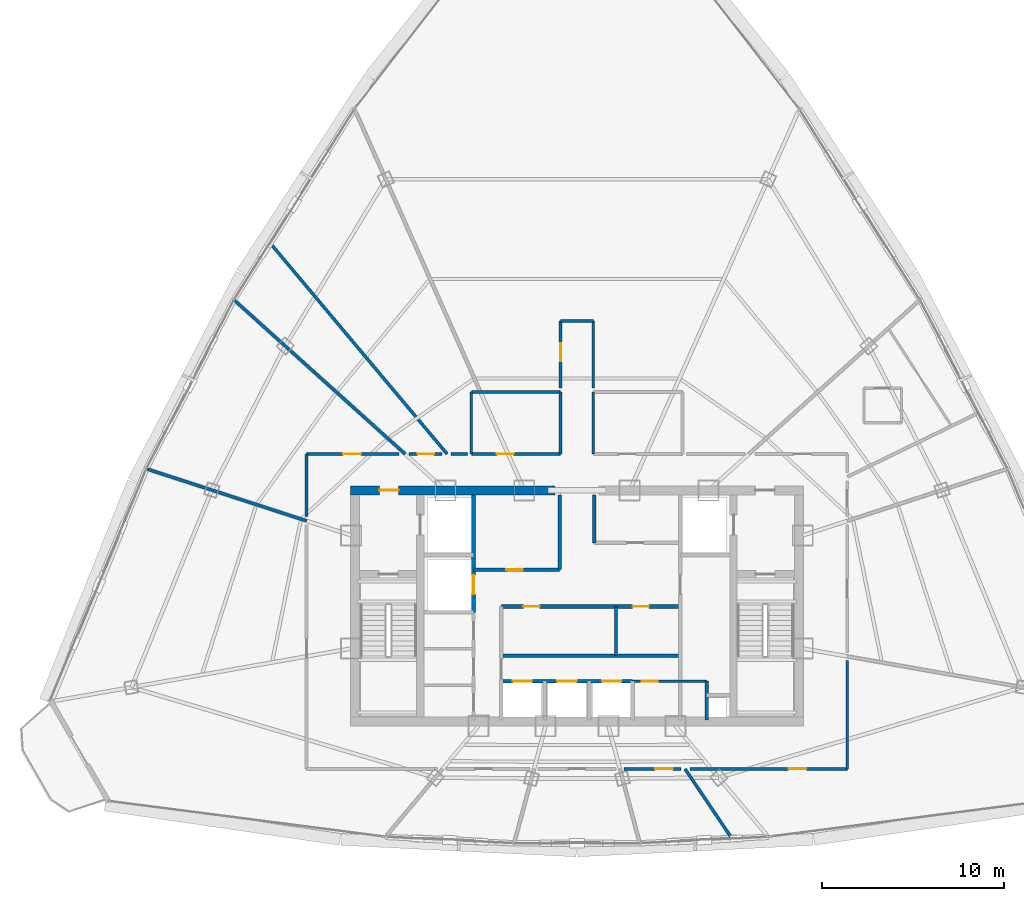
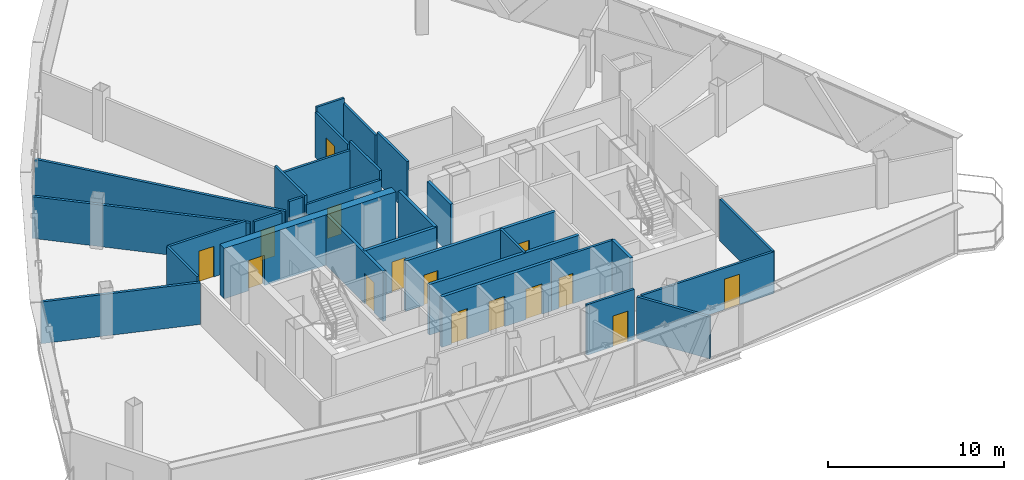
# One storey, part 28 of 33: 30 walls, 15 doors, 15 openings.
"""IFC4 building model written with IfcOpenShell, lengths in metres."""

from ifc_helpers import new_model, si_unit, direction, frame, frame_2d, origin, origin_with_axes, place, context, subcontext, project, spatial, rectangle, extrude, source, transform, mapped, material, layer, layer_set, type_object, element, fill, save


model = new_model("IFC4")

# Units and contexts
model_context = context("Model", 3, precision=1e-05, world=origin(), true_north=direction((0.0, 1.0)))
body_context = subcontext(model_context, "Body", "Model", "MODEL_VIEW")
ifc_project = project(units=[si_unit("LENGTHUNIT", "METRE"), si_unit("AREAUNIT", "SQUARE_METRE"), si_unit("VOLUMEUNIT", "CUBIC_METRE"), si_unit("PLANEANGLEUNIT", "RADIAN"), si_unit("MASSUNIT", "GRAM", prefix="KILO"), si_unit("THERMODYNAMICTEMPERATUREUNIT", "KELVIN"), si_unit("POWERUNIT", "WATT")], contexts=[model_context])

# Site, building, storey
site_placement = place(None, origin())
site = spatial("IfcSite", under=ifc_project, at=site_placement, CompositionType="ELEMENT")
building_placement = place(site_placement, origin())
building = spatial("IfcBuilding", under=site, at=building_placement, Name="Yunzhuo Pagoda Commons", CompositionType="ELEMENT")
storey_placement = place(building_placement, frame((0.0, 0.0, 329.260009765625)))
storey = spatial("IfcBuildingStorey", under=building, at=storey_placement, Name="L82", CompositionType="ELEMENT", Elevation=329.260009765625)

# Wall, opening, door
ifc_material_1 = material(Name="Concrete C50", Category="concrete")
ifc_layer_1 = layer(ifc_material_1, 0.5)
ifc_layer_set_1 = layer_set([ifc_layer_1], Name="Concrete C50")
wall_type_1 = type_object("IfcWallType", Name="W-C03 Upper Core Shear Wall 500", PredefinedType="SHEAR", material=ifc_layer_set_1)
wall_1_placement = place(storey_placement, frame((35.550048828125, 40.199951171875, 0.0), z_axis=(0.0, 0.0, 1.0), x_axis=(1.0, 0.0, 0.0)))
wall_1 = element("IfcWall", 1, at=wall_1_placement, inside=storey, type_object=wall_type_1, Name="L82 core shear wall NW", PredefinedType="SHEAR", context=body_context, shape_type="SweptSolid", body=[
    extrude(rectangle(XDim=11.25, YDim=0.5, at=frame_2d((5.625, 0.0))), origin(), (0.0, 0.0, 1.0), 3.489990234375),
])
opening_1_placement = place(wall_1_placement, frame((1.60009765625, 0.0, 0.0)))
opening_1 = element("IfcOpeningElement", 2, at=opening_1_placement, cuts=wall_1, Name="Opening D-02", PredefinedType="OPENING", context=body_context, shape_type="SweptSolid", body=[
    extrude(rectangle(XDim=1.050048828125, YDim=2.10009765625, at=frame_2d((0.52490234375, 1.050048828125))), frame((0.0, 0.260009765625, 0.0), z_axis=(0.0, -1.0, 0.0), x_axis=(1.0, 0.0, 0.0)), (0.0, 0.0, 1.0), 0.52001953125),
])
ifc_material_2 = material(Name="Galvanized fire-resisting metal leaf")
door_type_1 = type_object("IfcDoorType", Name="D-02 Firefighting Lobby & Refuge Fire Door 1050x2100", OperationType="NOTDEFINED", PredefinedType="DOOR", material=ifc_material_2)
shared_shape_1 = source(origin(), body_context, "Body", "SweptSolid", [
    extrude(rectangle(XDim=1.050048828125, YDim=2.10009765625, at=frame_2d((0.52490234375, 1.050048828125))), frame((0.0, 0.02490234375, 0.0), z_axis=(0.0, -1.0, 0.0), x_axis=(1.0, 0.0, 0.0)), (0.0, 0.0, 1.0), 0.050048828125),
])
door_1_placement = place(opening_1_placement, frame((1.050048828125, 0.0, 0.0), z_axis=(0.0, 0.0, 1.0), x_axis=(-1.0, 0.0, 0.0)))
door_1 = element("IfcDoor", 3, at=door_1_placement, inside=storey, type_object=door_type_1, Name="L82 Firefighting Lobby 1 fire door", OperationType="SINGLE_SWING_LEFT", OverallHeight=2.10009765625, OverallWidth=1.050048828125, PredefinedType="DOOR", context=body_context, shape_type="MappedRepresentation", body=[
    mapped(shared_shape_1, transform((0.0, 0.0, 0.0), scale=1.0)),
])
fill(opening_1, door_1)

# Wall
ifc_material_3 = material(Name="Gypsum plasterboard on acoustic stud")
ifc_layer_2 = layer(ifc_material_3, 0.14990234375)
ifc_layer_set_2 = layer_set([ifc_layer_2], Name="Gypsum plasterboard on acoustic stud")
wall_type_2 = type_object("IfcWallType", Name="W-COR3 High-Zone Rated Corridor Wall 150", PredefinedType="PARTITIONING", material=ifc_layer_set_2)
wall_2_placement = place(storey_placement, frame((50.14990234375, 31.1201171875, 0.0), z_axis=(0.0, 0.0, 1.0), x_axis=(0.0, 1.0, 0.0)))
element("IfcWall", 4, at=wall_2_placement, inside=storey, type_object=wall_type_2, Name="L82 interior wall IW-L82-FRMD", PredefinedType="PARTITIONING", context=body_context, shape_type="SweptSolid", body=[
    extrude(rectangle(XDim=2.699951171875, YDim=0.14990234375, at=frame_2d((1.35009765625, 0.0))), origin(), (0.0, 0.0, 1.0), 3.489990234375),
])

# Wall, opening, door
wall_3_placement = place(storey_placement, frame((51.050048828125, 29.719970703125, 0.0), z_axis=(0.0, 0.0, 1.0), x_axis=(1.0, 0.0, 0.0)))
wall_3 = element("IfcWall", 5, at=wall_3_placement, inside=storey, type_object=wall_type_2, Name="L82 interior wall IW-L82-CSES", PredefinedType="PARTITIONING", context=body_context, shape_type="SweptSolid", body=[
    extrude(rectangle(XDim=4.070068359375, YDim=0.14990234375, at=frame_2d((2.03515625, 0.0))), origin(), (0.0, 0.0, 1.0), 3.489990234375),
])
opening_2_placement = place(wall_3_placement, frame((0.5, 0.0, 0.0)))
opening_2 = element("IfcOpeningElement", 6, at=opening_2_placement, cuts=wall_3, Name="Opening D-03", PredefinedType="OPENING", context=body_context, shape_type="SweptSolid", body=[
    extrude(rectangle(XDim=0.89990234375, YDim=2.10009765625, at=frame_2d((0.449951171875, 1.050048828125))), frame((0.0, 0.0849609375, 0.0), z_axis=(0.0, -1.0, 0.0), x_axis=(1.0, 0.0, 0.0)), (0.0, 0.0, 1.0), 0.169921875),
])
door_type_2 = type_object("IfcDoorType", Name="D-03 Core Service Fire Door 900x2100", OperationType="NOTDEFINED", PredefinedType="DOOR", material=ifc_material_2)
shared_shape_2 = source(origin(), body_context, "Body", "SweptSolid", [
    extrude(rectangle(XDim=0.89990234375, YDim=2.10009765625, at=frame_2d((0.449951171875, 1.050048828125))), frame((0.0, 0.02490234375, 0.0), z_axis=(0.0, -1.0, 0.0), x_axis=(1.0, 0.0, 0.0)), (0.0, 0.0, 1.0), 0.050048828125),
])
door_2_placement = place(opening_2_placement, origin_with_axes())
door_2 = element("IfcDoor", 7, at=door_2_placement, inside=storey, type_object=door_type_2, Name="L82 core pantry door", OperationType="SINGLE_SWING_RIGHT", OverallHeight=2.10009765625, OverallWidth=0.89990234375, PredefinedType="DOOR", context=body_context, shape_type="MappedRepresentation", body=[
    mapped(shared_shape_2, transform((0.0, 0.0, 0.0), scale=1.0)),
])
fill(opening_2, door_2)

wall_4_placement = place(storey_placement, frame((42.199951171875, 42.199951171875, 0.0), z_axis=(0.0, 0.0, 1.0), x_axis=(1.0, 0.0, 0.0)))
wall_4 = element("IfcWall", 8, at=wall_4_placement, inside=storey, type_object=wall_type_2, Name="L82 interior wall IW-L82-TFWS", PredefinedType="PARTITIONING", context=body_context, shape_type="SweptSolid", body=[
    extrude(rectangle(XDim=4.900146484375, YDim=0.14990234375, at=frame_2d((2.4501953125, 0.0))), origin(), (0.0, 0.0, 1.0), 2.889892578125),
])
opening_3_placement = place(wall_4_placement, frame((1.39990234375, 0.0, 0.0)))
opening_3 = element("IfcOpeningElement", 9, at=opening_3_placement, cuts=wall_4, Name="Opening D-04", PredefinedType="OPENING", context=body_context, shape_type="SweptSolid", body=[
    extrude(rectangle(XDim=0.919921875, YDim=2.10009765625, at=frame_2d((0.4599609375, 1.050048828125))), frame((0.0, 0.0849609375, 0.0), z_axis=(0.0, -1.0, 0.0), x_axis=(1.0, 0.0, 0.0)), (0.0, 0.0, 1.0), 0.169921875),
])
ifc_material_4 = material(Name="Powder-coated aluminium and timber acoustic leaf", Category="wood")
door_type_3 = type_object("IfcDoorType", Name="D-04 Bedroom & Study Interior Door 920x2100", OperationType="NOTDEFINED", PredefinedType="DOOR", material=ifc_material_4)
shared_shape_3 = source(origin(), body_context, "Body", "SweptSolid", [
    extrude(rectangle(XDim=0.919921875, YDim=2.10009765625, at=frame_2d((0.4599609375, 1.050048828125))), frame((0.0, 0.02490234375, 0.0), z_axis=(0.0, -1.0, 0.0), x_axis=(1.0, 0.0, 0.0)), (0.0, 0.0, 1.0), 0.050048828125),
])
door_3_placement = place(opening_3_placement, frame((0.919921875, 0.0, 0.0), z_axis=(0.0, 0.0, 1.0), x_axis=(-1.0, 0.0, 0.0)))
door_3 = element("IfcDoor", 10, at=door_3_placement, inside=storey, type_object=door_type_3, Name="L82 laundry door", OperationType="SINGLE_SWING_LEFT", OverallHeight=2.10009765625, OverallWidth=0.919921875, PredefinedType="DOOR", context=body_context, shape_type="MappedRepresentation", body=[
    mapped(shared_shape_3, transform((0.0, 0.0, 0.0), scale=1.0)),
])
fill(opening_3, door_3)

# Walls
wall_5_placement = place(storey_placement, frame((42.199951171875, 45.60009765625, 0.0), z_axis=(0.0, 0.0, 1.0), x_axis=(1.0, 0.0, 0.0)))
element("IfcWall", 11, at=wall_5_placement, inside=storey, type_object=wall_type_2, Name="L82 interior wall IW-L82-TFWN", PredefinedType="PARTITIONING", context=body_context, shape_type="SweptSolid", body=[
    extrude(rectangle(XDim=4.900146484375, YDim=0.14990234375, at=frame_2d((2.4501953125, 0.0))), origin(), (0.0, 0.0, 1.0), 2.889892578125),
])
for number, where, z_axis, x_axis, name in (
    (12, (42.199951171875, 42.199951171875, 0.0), (0.0, 0.0, 1.0), (0.0, 1.0, 0.0), "L82 interior wall IW-L82-TFWW"),
    (13, (47.10009765625, 42.199951171875, 0.0), (0.0, 0.0, 1.0), (0.0, 1.0, 0.0), "L82 interior wall IW-L82-TFWE"),
    (14, (48.89990234375, 42.199951171875, 0.0), (0.0, 0.0, 1.0), (0.0, 1.0, 0.0), "L82 interior wall IW-L82-TFEW"),
):
    element("IfcWall", number, at=place(storey_placement, frame(where, z_axis=z_axis, x_axis=x_axis)), inside=storey, type_object=wall_type_2, Name=name, PredefinedType="PARTITIONING", context=body_context, shape_type="SweptSolid", body=[
        extrude(rectangle(XDim=3.400146484375, YDim=0.14990234375, at=frame_2d((1.7001953125, 0.0))), origin(), (0.0, 0.0, 1.0), 3.489990234375),
    ])
wall_6_placement = place(storey_placement, frame((33.14990234375, 38.75634765625, 0.0), z_axis=(0.0, 0.0, 1.0), x_axis=(0.0, 1.0, 0.0)))
element("IfcWall", 15, at=wall_6_placement, inside=storey, type_object=wall_type_2, Name="L82 interior wall IW-L82-CWL02", PredefinedType="PARTITIONING", context=body_context, shape_type="SweptSolid", body=[
    extrude(rectangle(XDim=3.443603515625, YDim=0.14990234375, at=frame_2d((1.7216796875, 0.0))), origin(), (0.0, 0.0, 1.0), 3.139892578125),
])

# Wall, opening, door
wall_7_placement = place(storey_placement, frame((33.14990234375, 42.199951171875, 0.0), z_axis=(0.0, 0.0, 1.0), x_axis=(1.0, 0.0, 0.0)))
wall_7 = element("IfcWall", 16, at=wall_7_placement, inside=storey, type_object=wall_type_2, Name="L82 interior wall IW-L82-CWL03", PredefinedType="PARTITIONING", context=body_context, shape_type="SweptSolid", body=[
    extrude(rectangle(XDim=5.0810546875, YDim=0.14990234375, at=frame_2d((2.54052734375, 0.0))), origin(), (0.0, 0.0, 1.0), 3.139892578125),
])
opening_4_placement = place(wall_7_placement, frame((2.0, 0.0, 0.0)))
opening_4 = element("IfcOpeningElement", 17, at=opening_4_placement, cuts=wall_7, Name="Opening D-08", PredefinedType="OPENING", context=body_context, shape_type="SweptSolid", body=[
    extrude(rectangle(XDim=0.97998046875, YDim=2.1201171875, at=frame_2d((0.489990234375, 1.06005859375))), frame((0.0, 0.0849609375, 0.0), z_axis=(0.0, -1.0, 0.0), x_axis=(1.0, 0.0, 0.0)), (0.0, 0.0, 1.0), 0.169921875),
])
door_type_4 = type_object("IfcDoorType", Name="D-08 High-Zone Suite Entrance Fire Door 980x2120", OperationType="NOTDEFINED", PredefinedType="DOOR", material=ifc_material_2)
shared_shape_4 = source(origin(), body_context, "Body", "SweptSolid", [
    extrude(rectangle(XDim=0.97998046875, YDim=2.1201171875, at=frame_2d((0.489990234375, 1.06005859375))), frame((0.0, 0.02490234375, 0.0), z_axis=(0.0, -1.0, 0.0), x_axis=(1.0, 0.0, 0.0)), (0.0, 0.0, 1.0), 0.050048828125),
])
door_4_placement = place(opening_4_placement, origin_with_axes())
door_4 = element("IfcDoor", 18, at=door_4_placement, inside=storey, type_object=door_type_4, Name="L82 unit 07 entrance door", OperationType="SINGLE_SWING_LEFT", OverallHeight=2.1201171875, OverallWidth=0.97998046875, PredefinedType="DOOR", context=body_context, shape_type="MappedRepresentation", body=[
    mapped(shared_shape_4, transform((0.0, 0.0, 0.0), scale=1.0)),
])
fill(opening_4, door_4)

wall_8_placement = place(storey_placement, frame((38.779541015625, 42.199951171875, 0.0), z_axis=(0.0, 0.0, 1.0), x_axis=(1.0, 0.0, 0.0)))
wall_8 = element("IfcWall", 19, at=wall_8_placement, inside=storey, type_object=wall_type_2, Name="L82 interior wall IW-L82-CWL04", PredefinedType="PARTITIONING", context=body_context, shape_type="SweptSolid", body=[
    extrude(rectangle(XDim=1.801025390625, YDim=0.14990234375, at=frame_2d((0.900390625, 0.0))), origin(), (0.0, 0.0, 1.0), 2.889892578125),
])
opening_5_placement = place(wall_8_placement, frame((0.474365234375, 0.0, 0.0)))
opening_5 = element("IfcOpeningElement", 20, at=opening_5_placement, cuts=wall_8, Name="Opening D-12", PredefinedType="OPENING", context=body_context, shape_type="SweptSolid", body=[
    extrude(rectangle(XDim=0.89990234375, YDim=2.080078125, at=frame_2d((0.449951171875, 1.0400390625))), frame((0.0, 0.0849609375, 0.0), z_axis=(0.0, -1.0, 0.0), x_axis=(1.0, 0.0, 0.0)), (0.0, 0.0, 1.0), 0.169921875),
])
door_type_5 = type_object("IfcDoorType", Name="D-12 Quiet Study Interior Door 900x2080", OperationType="NOTDEFINED", PredefinedType="DOOR", material=ifc_material_4)
shared_shape_5 = source(origin(), body_context, "Body", "SweptSolid", [
    extrude(rectangle(XDim=0.89990234375, YDim=2.080078125, at=frame_2d((0.449951171875, 1.0400390625))), frame((0.0, 0.02490234375, 0.0), z_axis=(0.0, -1.0, 0.0), x_axis=(1.0, 0.0, 0.0)), (0.0, 0.0, 1.0), 0.050048828125),
])
door_5_placement = place(opening_5_placement, origin_with_axes())
door_5 = element("IfcDoor", 21, at=door_5_placement, inside=storey, type_object=door_type_5, Name="L82 study lounge 06 door", OperationType="SINGLE_SWING_RIGHT", OverallHeight=2.080078125, OverallWidth=0.89990234375, PredefinedType="DOOR", context=body_context, shape_type="MappedRepresentation", body=[
    mapped(shared_shape_5, transform((0.0, 0.0, 0.0), scale=1.0)),
])
fill(opening_5, door_5)

# Wall
wall_9_placement = place(storey_placement, frame((41.087646484375, 42.199951171875, 0.0), z_axis=(0.0, 0.0, 1.0), x_axis=(1.0, 0.0, 0.0)))
element("IfcWall", 22, at=wall_9_placement, inside=storey, type_object=wall_type_2, Name="L82 interior wall IW-L82-CWL05", PredefinedType="PARTITIONING", context=body_context, shape_type="SweptSolid", body=[
    extrude(rectangle(XDim=0.892333984375, YDim=0.14990234375, at=frame_2d((0.4462890625, 0.0))), origin(), (0.0, 0.0, 1.0), 3.489990234375),
])

# Wall, opening, door
wall_10_placement = place(storey_placement, frame((47.10009765625, 45.820068359375, 0.0), z_axis=(0.0, 0.0, 1.0), x_axis=(0.0, 1.0, 0.0)))
wall_10 = element("IfcWall", 23, at=wall_10_placement, inside=storey, type_object=wall_type_2, Name="L82 interior wall IW-L82-CWL06", PredefinedType="PARTITIONING", context=body_context, shape_type="SweptSolid", body=[
    extrude(rectangle(XDim=3.679931640625, YDim=0.14990234375, at=frame_2d((1.83984375, 0.0))), origin(), (0.0, 0.0, 1.0), 3.139892578125),
])
opening_6_placement = place(wall_10_placement, frame((1.485107421875, 0.0, 0.0)))
opening_6 = element("IfcOpeningElement", 24, at=opening_6_placement, cuts=wall_10, Name="Opening D-08", PredefinedType="OPENING", context=body_context, shape_type="SweptSolid", body=[
    extrude(rectangle(XDim=0.97998046875, YDim=2.1201171875, at=frame_2d((0.489990234375, 1.06005859375))), frame((0.0, 0.0849609375, 0.0), z_axis=(0.0, -1.0, 0.0), x_axis=(1.0, 0.0, 0.0)), (0.0, 0.0, 1.0), 0.169921875),
])
door_6_placement = place(opening_6_placement, origin_with_axes())
door_6 = element("IfcDoor", 25, at=door_6_placement, inside=storey, type_object=door_type_4, Name="L82 Shared Resident Kitchen and Pantry door", OperationType="SINGLE_SWING_RIGHT", OverallHeight=2.1201171875, OverallWidth=0.97998046875, PredefinedType="DOOR", context=body_context, shape_type="MappedRepresentation", body=[
    mapped(shared_shape_4, transform((0.0, 0.0, 0.0), scale=1.0)),
])
fill(opening_6, door_6)

# Walls
wall_11_placement = place(storey_placement, frame((47.10009765625, 49.5, 0.0), z_axis=(0.0, 0.0, 1.0), x_axis=(1.0, 0.0, 0.0)))
element("IfcWall", 26, at=wall_11_placement, inside=storey, type_object=wall_type_2, Name="L82 interior wall IW-L82-CWL07", PredefinedType="PARTITIONING", context=body_context, shape_type="SweptSolid", body=[
    extrude(rectangle(XDim=1.7998046875, YDim=0.14990234375, at=frame_2d((0.89990234375, 0.0))), origin(), (0.0, 0.0, 1.0), 3.489990234375),
])
wall_12_placement = place(storey_placement, frame((48.89990234375, 49.5, 0.0), z_axis=(0.0, 0.0, 1.0), x_axis=(0.0, -1.0, 0.0)))
element("IfcWall", 27, at=wall_12_placement, inside=storey, type_object=wall_type_2, Name="L82 interior wall IW-L82-CWL08", PredefinedType="PARTITIONING", context=body_context, shape_type="SweptSolid", body=[
    extrude(rectangle(XDim=3.679931640625, YDim=0.14990234375, at=frame_2d((1.83984375, 0.0))), origin(), (0.0, 0.0, 1.0), 3.139892578125),
])
wall_13_placement = place(storey_placement, frame((62.85009765625, 30.858154296875, 0.0), z_axis=(0.0, 0.0, 1.0), x_axis=(0.0, -1.0, 0.0)))
element("IfcWall", 28, at=wall_13_placement, inside=storey, type_object=wall_type_2, Name="L82 interior wall IW-L82-CWL14", PredefinedType="PARTITIONING", context=body_context, shape_type="SweptSolid", body=[
    extrude(rectangle(XDim=5.958251953125, YDim=0.14990234375, at=frame_2d((2.97900390625, 0.0))), origin(), (0.0, 0.0, 1.0), 2.889892578125),
])

# Wall, opening, door
wall_14_placement = place(storey_placement, frame((62.85009765625, 24.89990234375, 0.0), z_axis=(0.0, 0.0, 1.0), x_axis=(-1.0, 0.0, 0.0)))
wall_14 = element("IfcWall", 29, at=wall_14_placement, inside=storey, type_object=wall_type_2, Name="L82 interior wall IW-L82-CWL15", PredefinedType="PARTITIONING", context=body_context, shape_type="SweptSolid", body=[
    extrude(rectangle(XDim=8.64892578125, YDim=0.14990234375, at=frame_2d((4.324462890625, 0.0))), origin(), (0.0, 0.0, 1.0), 2.889892578125),
])
opening_7_placement = place(wall_14_placement, frame((2.250244140625, 0.0, 0.0)))
opening_7 = element("IfcOpeningElement", 30, at=opening_7_placement, cuts=wall_14, Name="Opening D-08", PredefinedType="OPENING", context=body_context, shape_type="SweptSolid", body=[
    extrude(rectangle(XDim=0.97998046875, YDim=2.1201171875, at=frame_2d((0.489990234375, 1.06005859375))), frame((0.0, 0.0849609375, 0.0), z_axis=(0.0, -1.0, 0.0), x_axis=(1.0, 0.0, 0.0)), (0.0, 0.0, 1.0), 0.169921875),
])
door_7_placement = place(opening_7_placement, origin_with_axes())
door_7 = element("IfcDoor", 31, at=door_7_placement, inside=storey, type_object=door_type_4, Name="L82 Academic Reading Commons 2 door", OperationType="SINGLE_SWING_RIGHT", OverallHeight=2.1201171875, OverallWidth=0.97998046875, PredefinedType="DOOR", context=body_context, shape_type="MappedRepresentation", body=[
    mapped(shared_shape_4, transform((0.0, 0.0, 0.0), scale=1.0)),
])
fill(opening_7, door_7)

wall_15_placement = place(storey_placement, frame((53.7158203125, 24.89990234375, 0.0), z_axis=(0.0, 0.0, 1.0), x_axis=(-1.0, 0.0, 0.0)))
wall_15 = element("IfcWall", 32, at=wall_15_placement, inside=storey, type_object=wall_type_2, Name="L82 interior wall IW-L82-CWL16", PredefinedType="PARTITIONING", context=body_context, shape_type="SweptSolid", body=[
    extrude(rectangle(XDim=3.130126953125, YDim=0.14990234375, at=frame_2d((1.56494140625, 0.0))), origin(), (0.0, 0.0, 1.0), 3.489990234375),
])
opening_8_placement = place(wall_15_placement, frame((0.449462890625, 0.0, 0.0)))
opening_8 = element("IfcOpeningElement", 33, at=opening_8_placement, cuts=wall_15, Name="Opening D-08", PredefinedType="OPENING", context=body_context, shape_type="SweptSolid", body=[
    extrude(rectangle(XDim=0.97998046875, YDim=2.1201171875, at=frame_2d((0.489990234375, 1.06005859375))), frame((0.0, 0.0849609375, 0.0), z_axis=(0.0, -1.0, 0.0), x_axis=(1.0, 0.0, 0.0)), (0.0, 0.0, 1.0), 0.169921875),
])
door_8_placement = place(opening_8_placement, origin_with_axes())
door_8 = element("IfcDoor", 34, at=door_8_placement, inside=storey, type_object=door_type_4, Name="L82 unit 11 entrance door", OperationType="SINGLE_SWING_LEFT", OverallHeight=2.1201171875, OverallWidth=0.97998046875, PredefinedType="DOOR", context=body_context, shape_type="MappedRepresentation", body=[
    mapped(shared_shape_4, transform((0.0, 0.0, 0.0), scale=1.0)),
])
fill(opening_8, door_8)

# Walls
ifc_layer_3 = layer(ifc_material_3, 0.169921875)
ifc_layer_set_3 = layer_set([ifc_layer_3], Name="Gypsum plasterboard on acoustic stud")
wall_type_3 = type_object("IfcWallType", Name="W-PRT4 High-Zone Demising Wall 170", PredefinedType="PARTITIONING", material=ifc_layer_set_3)
wall_16_placement = place(storey_placement, frame((40.86767578125, 42.199951171875, 0.0), z_axis=(0.0, 0.0, 1.0), x_axis=(-0.642782037032, 0.766049119096, 0.0)))
element("IfcWall", 35, at=wall_16_placement, inside=storey, type_object=wall_type_3, Name="L82 interior wall IW-L82-RAD05", PredefinedType="PARTITIONING", context=body_context, shape_type="SweptSolid", body=[
    extrude(rectangle(XDim=15.1396484375, YDim=0.169921875, at=frame_2d((7.56982421875, 0.0))), origin(), (0.0, 0.0, 1.0), 2.889892578125),
])
wall_17_placement = place(storey_placement, frame((38.559814453125, 42.199951171875, 0.0), z_axis=(0.0, 0.0, 1.0), x_axis=(-0.743143506998, 0.669132070675, 0.0)))
element("IfcWall", 36, at=wall_17_placement, inside=storey, type_object=wall_type_3, Name="L82 interior wall IW-L82-RAD06", PredefinedType="PARTITIONING", context=body_context, shape_type="SweptSolid", body=[
    extrude(rectangle(XDim=12.65380859375, YDim=0.169921875, at=frame_2d((6.326904296875, 0.0))), origin(), (0.0, 0.0, 1.0), 2.889892578125),
])
wall_18_placement = place(storey_placement, frame((33.14990234375, 38.525146484375, 0.0), z_axis=(0.0, 0.0, 1.0), x_axis=(-0.951054035025, 0.309024630836, 0.0)))
element("IfcWall", 37, at=wall_18_placement, inside=storey, type_object=wall_type_3, Name="L82 interior wall IW-L82-RAD07", PredefinedType="PARTITIONING", context=body_context, shape_type="SweptSolid", body=[
    extrude(rectangle(XDim=9.25439453125, YDim=0.169921875, at=frame_2d((4.627197265625, 0.0))), origin(), (0.0, 0.0, 1.0), 2.889892578125),
])
wall_19_placement = place(storey_placement, frame((53.935791015625, 24.89990234375, 0.0), z_axis=(0.0, 0.0, 1.0), x_axis=(0.559204176839, -0.829029968461, 0.0)))
element("IfcWall", 38, at=wall_19_placement, inside=storey, type_object=wall_type_3, Name="L82 interior wall IW-L82-RAD11", PredefinedType="PARTITIONING", context=body_context, shape_type="SweptSolid", body=[
    extrude(rectangle(XDim=4.619873046875, YDim=0.169921875, at=frame_2d((2.31005859375, 0.0))), origin(), (0.0, 0.0, 1.0), 2.889892578125),
])

# Wall, opening, door
ifc_material_5 = material(Name="Concrete C40", Category="concrete")
ifc_layer_4 = layer(ifc_material_5, 0.199951171875)
ifc_layer_set_4 = layer_set([ifc_layer_4], Name="Concrete C40")
wall_type_4 = type_object("IfcWallType", Name="W-SHF Shaft & Stair Enclosure Wall 200", PredefinedType="SOLIDWALL", material=ifc_layer_set_4)
wall_20_placement = place(storey_placement, frame((42.320068359375, 33.5, 0.0), z_axis=(0.0, 0.0, 1.0), x_axis=(0.0, 1.0, 0.0)))
wall_20 = element("IfcWall", 39, at=wall_20_placement, inside=storey, type_object=wall_type_4, Name="L82 interior wall IW-L82-FL1E", PredefinedType="SOLIDWALL", context=body_context, shape_type="SweptSolid", body=[
    extrude(rectangle(XDim=6.449951171875, YDim=0.199951171875, at=frame_2d((3.22509765625, 0.0))), origin(), (0.0, 0.0, 1.0), 3.489990234375),
])
opening_9_placement = place(wall_20_placement, frame((1.0, 0.0, 0.0)))
opening_9 = element("IfcOpeningElement", 40, at=opening_9_placement, cuts=wall_20, Name="Opening LD-02", PredefinedType="OPENING", context=body_context, shape_type="SweptSolid", body=[
    extrude(rectangle(XDim=1.050048828125, YDim=2.10009765625, at=frame_2d((0.52490234375, 1.050048828125))), frame((0.0, 0.10986328125, 0.0), z_axis=(0.0, -1.0, 0.0), x_axis=(1.0, 0.0, 0.0)), (0.0, 0.0, 1.0), 0.219970703125),
])
door_type_6 = type_object("IfcDoorType", Name="LD-02 Passenger Lift Landing Door 1050x2100", OperationType="DOUBLE_DOOR_SLIDING", PredefinedType="DOOR", material=ifc_material_2)
door_9_placement = place(opening_9_placement, origin_with_axes())
door_9 = element("IfcDoor", 41, at=door_9_placement, inside=storey, type_object=door_type_6, Name="L82 Service lift SL-1 landing door", OperationType="DOUBLE_DOOR_SLIDING", OverallHeight=2.10009765625, OverallWidth=1.050048828125, PredefinedType="DOOR", context=body_context, shape_type="MappedRepresentation", body=[
    mapped(shared_shape_1, transform((0.0, 0.0, 0.0), scale=1.0)),
])
fill(opening_9, door_9)

wall_21_placement = place(storey_placement, frame((42.320068359375, 35.85009765625, 0.0), z_axis=(0.0, 0.0, 1.0), x_axis=(1.0, 0.0, 0.0)))
wall_21 = element("IfcWall", 42, at=wall_21_placement, inside=storey, type_object=wall_type_4, Name="L82 interior wall IW-L82-LBNW", PredefinedType="SOLIDWALL", context=body_context, shape_type="SweptSolid", body=[
    extrude(rectangle(XDim=4.72998046875, YDim=0.199951171875, at=frame_2d((2.364990234375, 0.0))), origin(), (0.0, 0.0, 1.0), 3.489990234375),
])
opening_10_placement = place(wall_21_placement, frame((1.800048828125, 0.0, 0.0)))
opening_10 = element("IfcOpeningElement", 43, at=opening_10_placement, cuts=wall_21, Name="Opening D-03", PredefinedType="OPENING", context=body_context, shape_type="SweptSolid", body=[
    extrude(rectangle(XDim=0.89990234375, YDim=2.10009765625, at=frame_2d((0.449951171875, 1.050048828125))), frame((0.0, 0.10986328125, 0.0), z_axis=(0.0, -1.0, 0.0), x_axis=(1.0, 0.0, 0.0)), (0.0, 0.0, 1.0), 0.219970703125),
])
door_10_placement = place(opening_10_placement, frame((0.89990234375, 0.0, 0.0), z_axis=(0.0, 0.0, 1.0), x_axis=(-1.0, 0.0, 0.0)))
door_10 = element("IfcDoor", 44, at=door_10_placement, inside=storey, type_object=door_type_2, Name="L82 core west store door", OperationType="SINGLE_SWING_LEFT", OverallHeight=2.10009765625, OverallWidth=0.89990234375, PredefinedType="DOOR", context=body_context, shape_type="MappedRepresentation", body=[
    mapped(shared_shape_2, transform((0.0, 0.0, 0.0), scale=1.0)),
])
fill(opening_10, door_10)

# Walls
wall_22_placement = place(storey_placement, frame((47.050048828125, 35.85009765625, 0.0), z_axis=(0.0, 0.0, 1.0), x_axis=(0.0, 1.0, 0.0)))
element("IfcWall", 45, at=wall_22_placement, inside=storey, type_object=wall_type_4, Name="L82 interior wall IW-L82-THRW", PredefinedType="SOLIDWALL", context=body_context, shape_type="SweptSolid", body=[
    extrude(rectangle(XDim=4.099853515625, YDim=0.199951171875, at=frame_2d((2.0498046875, 0.0))), origin(), (0.0, 0.0, 1.0), 3.489990234375),
])
wall_23_placement = place(storey_placement, frame((48.949951171875, 37.320068359375, 0.0), z_axis=(0.0, 0.0, 1.0), x_axis=(0.0, 1.0, 0.0)))
element("IfcWall", 46, at=wall_23_placement, inside=storey, type_object=wall_type_4, Name="L82 interior wall IW-L82-THRE", PredefinedType="SOLIDWALL", context=body_context, shape_type="SweptSolid", body=[
    extrude(rectangle(XDim=2.6298828125, YDim=0.199951171875, at=frame_2d((1.31494140625, 0.0))), origin(), (0.0, 0.0, 1.0), 3.489990234375),
])

# Wall, openings, doors
wall_24_placement = place(storey_placement, frame((43.85009765625, 33.820068359375, 0.0), z_axis=(0.0, 0.0, 1.0), x_axis=(1.0, 0.0, 0.0)))
wall_24 = element("IfcWall", 47, at=wall_24_placement, inside=storey, type_object=wall_type_4, Name="L82 interior wall IW-L82-MLBS", PredefinedType="SOLIDWALL", context=body_context, shape_type="SweptSolid", body=[
    extrude(rectangle(XDim=9.829833984375, YDim=0.199951171875, at=frame_2d((4.9150390625, 0.0))), origin(), (0.0, 0.0, 1.0), 3.489990234375),
])
opening_11_placement = place(wall_24_placement, frame((1.199951171875, 0.0, 0.0)))
opening_11 = element("IfcOpeningElement", 48, at=opening_11_placement, cuts=wall_24, Name="Opening D-03", PredefinedType="OPENING", context=body_context, shape_type="SweptSolid", body=[
    extrude(rectangle(XDim=0.89990234375, YDim=2.10009765625, at=frame_2d((0.449951171875, 1.050048828125))), frame((0.0, 0.10986328125, 0.0), z_axis=(0.0, -1.0, 0.0), x_axis=(1.0, 0.0, 0.0)), (0.0, 0.0, 1.0), 0.219970703125),
])
opening_12_placement = place(wall_24_placement, frame((7.199951171875, 0.0, 0.0)))
opening_12 = element("IfcOpeningElement", 49, at=opening_12_placement, cuts=wall_24, Name="Opening D-03", PredefinedType="OPENING", context=body_context, shape_type="SweptSolid", body=[
    extrude(rectangle(XDim=0.89990234375, YDim=2.10009765625, at=frame_2d((0.449951171875, 1.050048828125))), frame((0.0, 0.10986328125, 0.0), z_axis=(0.0, -1.0, 0.0), x_axis=(1.0, 0.0, 0.0)), (0.0, 0.0, 1.0), 0.219970703125),
])
door_11_placement = place(opening_11_placement, origin_with_axes())
door_11 = element("IfcDoor", 50, at=door_11_placement, inside=storey, type_object=door_type_2, Name="L82 core mid-west store door", OperationType="SINGLE_SWING_LEFT", OverallHeight=2.10009765625, OverallWidth=0.89990234375, PredefinedType="DOOR", context=body_context, shape_type="MappedRepresentation", body=[
    mapped(shared_shape_2, transform((0.0, 0.0, 0.0), scale=1.0)),
])
fill(opening_11, door_11)
door_12_placement = place(opening_12_placement, origin_with_axes())
door_12 = element("IfcDoor", 51, at=door_12_placement, inside=storey, type_object=door_type_2, Name="L82 core mid-east store door", OperationType="SINGLE_SWING_RIGHT", OverallHeight=2.10009765625, OverallWidth=0.89990234375, PredefinedType="DOOR", context=body_context, shape_type="MappedRepresentation", body=[
    mapped(shared_shape_2, transform((0.0, 0.0, 0.0), scale=1.0)),
])
fill(opening_12, door_12)

wall_25_placement = place(storey_placement, frame((43.85009765625, 29.719970703125, 0.0), z_axis=(0.0, 0.0, 1.0), x_axis=(1.0, 0.0, 0.0)))
wall_25 = element("IfcWall", 52, at=wall_25_placement, inside=storey, type_object=wall_type_4, Name="L82 interior wall IW-L82-PLHN", PredefinedType="SOLIDWALL", context=body_context, shape_type="SweptSolid", body=[
    extrude(rectangle(XDim=7.199951171875, YDim=0.199951171875, at=frame_2d((3.60009765625, 0.0))), origin(), (0.0, 0.0, 1.0), 3.489990234375),
])
opening_13_placement = place(wall_25_placement, frame((0.625, 0.0, 0.0)))
opening_13 = element("IfcOpeningElement", 53, at=opening_13_placement, cuts=wall_25, Name="Opening LD-02", PredefinedType="OPENING", context=body_context, shape_type="SweptSolid", body=[
    extrude(rectangle(XDim=1.050048828125, YDim=2.10009765625, at=frame_2d((0.52490234375, 1.050048828125))), frame((0.0, 0.10986328125, 0.0), z_axis=(0.0, -1.0, 0.0), x_axis=(1.0, 0.0, 0.0)), (0.0, 0.0, 1.0), 0.219970703125),
])
opening_14_placement = place(wall_25_placement, frame((3.074951171875, 0.0, 0.0)))
opening_14 = element("IfcOpeningElement", 54, at=opening_14_placement, cuts=wall_25, Name="Opening LD-02", PredefinedType="OPENING", context=body_context, shape_type="SweptSolid", body=[
    extrude(rectangle(XDim=1.050048828125, YDim=2.10009765625, at=frame_2d((0.52490234375, 1.050048828125))), frame((0.0, 0.10986328125, 0.0), z_axis=(0.0, -1.0, 0.0), x_axis=(1.0, 0.0, 0.0)), (0.0, 0.0, 1.0), 0.219970703125),
])
opening_15_placement = place(wall_25_placement, frame((5.52490234375, 0.0, 0.0)))
opening_15 = element("IfcOpeningElement", 55, at=opening_15_placement, cuts=wall_25, Name="Opening LD-02", PredefinedType="OPENING", context=body_context, shape_type="SweptSolid", body=[
    extrude(rectangle(XDim=1.050048828125, YDim=2.10009765625, at=frame_2d((0.52490234375, 1.050048828125))), frame((0.0, 0.10986328125, 0.0), z_axis=(0.0, -1.0, 0.0), x_axis=(1.0, 0.0, 0.0)), (0.0, 0.0, 1.0), 0.219970703125),
])
door_13_placement = place(opening_13_placement, origin_with_axes())
door_13 = element("IfcDoor", 56, at=door_13_placement, inside=storey, type_object=door_type_6, Name="L82 Passenger lift PL-H1 landing door", OperationType="DOUBLE_DOOR_SLIDING", OverallHeight=2.10009765625, OverallWidth=1.050048828125, PredefinedType="DOOR", context=body_context, shape_type="MappedRepresentation", body=[
    mapped(shared_shape_1, transform((0.0, 0.0, 0.0), scale=1.0)),
])
fill(opening_13, door_13)
door_14_placement = place(opening_14_placement, origin_with_axes())
door_14 = element("IfcDoor", 57, at=door_14_placement, inside=storey, type_object=door_type_6, Name="L82 Passenger lift PL-H2 landing door", OperationType="DOUBLE_DOOR_SLIDING", OverallHeight=2.10009765625, OverallWidth=1.050048828125, PredefinedType="DOOR", context=body_context, shape_type="MappedRepresentation", body=[
    mapped(shared_shape_1, transform((0.0, 0.0, 0.0), scale=1.0)),
])
fill(opening_14, door_14)
door_15_placement = place(opening_15_placement, origin_with_axes())
door_15 = element("IfcDoor", 58, at=door_15_placement, inside=storey, type_object=door_type_6, Name="L82 Passenger lift PL-H3 landing door", OperationType="DOUBLE_DOOR_SLIDING", OverallHeight=2.10009765625, OverallWidth=1.050048828125, PredefinedType="DOOR", context=body_context, shape_type="MappedRepresentation", body=[
    mapped(shared_shape_1, transform((0.0, 0.0, 0.0), scale=1.0)),
])
fill(opening_15, door_15)

# Walls
wall_26_placement = place(storey_placement, frame((43.85009765625, 31.1201171875, 0.0), z_axis=(0.0, 0.0, 1.0), x_axis=(1.0, 0.0, 0.0)))
element("IfcWall", 59, at=wall_26_placement, inside=storey, type_object=wall_type_4, Name="L82 interior wall IW-L82-PLMS2", PredefinedType="SOLIDWALL", context=body_context, shape_type="SweptSolid", body=[
    extrude(rectangle(XDim=9.829833984375, YDim=0.199951171875, at=frame_2d((4.9150390625, 0.0))), origin(), (0.0, 0.0, 1.0), 3.489990234375),
])
wall_27_placement = place(storey_placement, frame((55.1201171875, 27.60009765625, 0.0), z_axis=(0.0, 0.0, 1.0), x_axis=(0.0, 1.0, 0.0)))
element("IfcWall", 60, at=wall_27_placement, inside=storey, type_object=wall_type_4, Name="L82 interior wall IW-L82-RSHFW", PredefinedType="SOLIDWALL", context=body_context, shape_type="SweptSolid", body=[
    extrude(rectangle(XDim=2.119873046875, YDim=0.199951171875, at=frame_2d((1.06005859375, 0.0))), origin(), (0.0, 0.0, 1.0), 3.489990234375),
])

save(model, "model.ifc")
